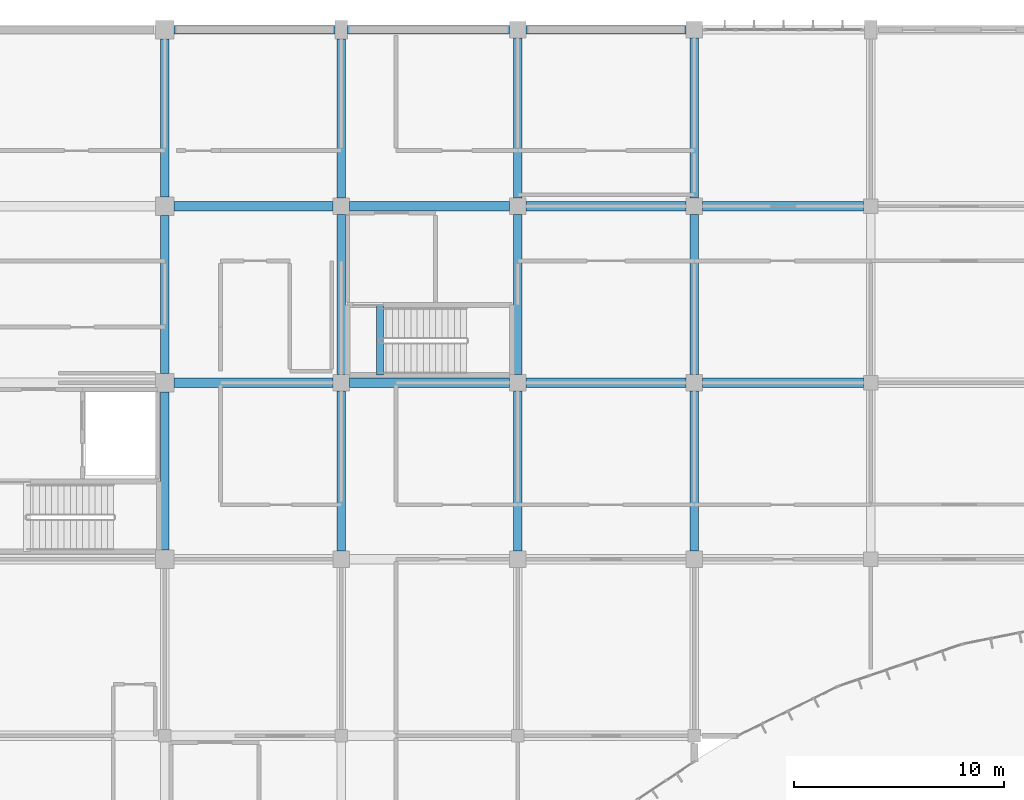
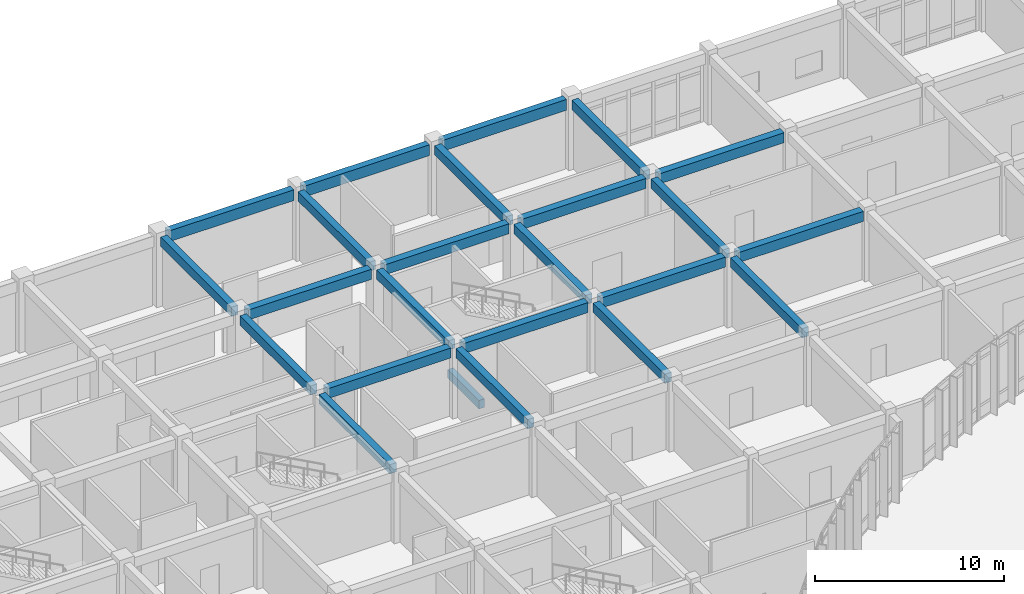
# One storey, part 58 of 138: 24 beams.
"""IFC4 building model written with IfcOpenShell, lengths in metres."""

from ifc_helpers import new_model, si_unit, direction, frame, origin, origin_2d, place, context, subcontext, project, spatial, rectangle, extrude, material, material_profile, profile_set, type_object, element, save


model = new_model("IFC4")

# Units and contexts
model_context = context("Model", 3, precision=1e-05, world=origin(), true_north=direction((0.0, 1.0)))
body_context = subcontext(model_context, "Body", "Model", "MODEL_VIEW")
ifc_project = project(units=[si_unit("LENGTHUNIT", "METRE"), si_unit("AREAUNIT", "SQUARE_METRE"), si_unit("VOLUMEUNIT", "CUBIC_METRE"), si_unit("PLANEANGLEUNIT", "RADIAN"), si_unit("MASSUNIT", "GRAM", prefix="KILO")], contexts=[model_context])

# Site, building, storey
site_placement = place(None, origin())
site = spatial("IfcSite", under=ifc_project, at=site_placement, CompositionType="ELEMENT")
building_placement = place(site_placement, origin())
building = spatial("IfcBuilding", under=site, at=building_placement, Name="Bramfleet General Hospital", CompositionType="ELEMENT")
storey_placement = place(building_placement, origin())
storey = spatial("IfcBuildingStorey", under=building, at=storey_placement, Name="L00", CompositionType="ELEMENT", Elevation=0.0)

# Beams
ifc_material = material(Name="Concrete C35/45", Category="concrete")
ifc_material_profile_1 = material_profile(ifc_material, rectangle(XDim=0.35009765625, YDim=0.550048828125, at=origin_2d()), Name="RC BM 550x350")
ifc_profile_set_1 = profile_set([ifc_material_profile_1], Name="Concrete C35/45")
beam_type_1 = type_object("IfcBeamType", Name="BM-RC550", PredefinedType="BEAM", material=ifc_profile_set_1)
beam_1_placement = place(storey_placement, frame((136.239990234375, 101.179931640625, -0.27490234375), z_axis=(0.0, 1.0, 0.0), x_axis=(-1.0, 0.0, 0.0)))
element("IfcBeam", 1, at=beam_1_placement, inside=storey, type_object=beam_type_1, Name="L00 C9 Stairwell Trimmer Beam", PredefinedType="BEAM", context=body_context, shape_type="SweptSolid", body=[
    extrude(rectangle(XDim=0.35009765625, YDim=0.550048828125, at=origin_2d()), origin(), (0.0, 0.0, 1.0), 3.320068359375),
])
ifc_material_profile_2 = material_profile(ifc_material, rectangle(XDim=0.39990234375, YDim=0.60009765625, at=origin_2d()), Name="RC BM 600x400")
ifc_profile_set_2 = profile_set([ifc_material_profile_2], Name="Concrete C35/45")
beam_type_2 = type_object("IfcBeamType", Name="BM-RC600", PredefinedType="BEAM", material=ifc_profile_set_2)
for number, where, z_axis, x_axis, name in (
    (2, (126.0, 92.85009765625, 4.199951171875), (0.0, 1.0, 0.0), (-1.0, 0.0, 0.0), "L00 Grid Beam Y 15-11"),
    (3, (126.0, 101.25, 4.199951171875), (0.0, 1.0, 0.0), (-1.0, 0.0, 0.0), "L00 Grid Beam Y 15-12"),
    (4, (126.0, 109.64990234375, 4.199951171875), (0.0, 1.0, 0.0), (-1.0, 0.0, 0.0), "L00 Grid Beam Y 15-13"),
):
    element("IfcBeam", number, at=place(storey_placement, frame(where, z_axis=z_axis, x_axis=x_axis)), inside=storey, type_object=beam_type_2, Name=name, PredefinedType="BEAM", context=body_context, shape_type="SweptSolid", body=[
        extrude(rectangle(XDim=0.39990234375, YDim=0.60009765625, at=origin_2d()), origin(), (0.0, 0.0, 1.0), 7.5),
    ])
beam_2_placement = place(storey_placement, frame((134.39990234375, 92.800048828125, 4.199951171875), z_axis=(0.0, 1.0, 0.0), x_axis=(-1.0, 0.0, 0.0)))
element("IfcBeam", 5, at=beam_2_placement, inside=storey, type_object=beam_type_2, Name="L00 Grid Beam Y 16-11", PredefinedType="BEAM", context=body_context, shape_type="SweptSolid", body=[
    extrude(rectangle(XDim=0.39990234375, YDim=0.60009765625, at=origin_2d()), origin(), (0.0, 0.0, 1.0), 7.599853515625),
])
beam_3_placement = place(storey_placement, frame((134.39990234375, 101.199951171875, 4.199951171875), z_axis=(0.0, 1.0, 0.0), x_axis=(-1.0, 0.0, 0.0)))
element("IfcBeam", 6, at=beam_3_placement, inside=storey, type_object=beam_type_2, Name="L00 Grid Beam Y 16-12", PredefinedType="BEAM", context=body_context, shape_type="SweptSolid", body=[
    extrude(rectangle(XDim=0.39990234375, YDim=0.60009765625, at=origin_2d()), origin(), (0.0, 0.0, 1.0), 7.60009765625),
])
beam_4_placement = place(storey_placement, frame((134.39990234375, 109.60009765625, 4.199951171875), z_axis=(0.0, 1.0, 0.0), x_axis=(-1.0, 0.0, 0.0)))
element("IfcBeam", 7, at=beam_4_placement, inside=storey, type_object=beam_type_2, Name="L00 Grid Beam Y 16-13", PredefinedType="BEAM", context=body_context, shape_type="SweptSolid", body=[
    extrude(rectangle(XDim=0.39990234375, YDim=0.60009765625, at=origin_2d()), origin(), (0.0, 0.0, 1.0), 7.5498046875),
])
beam_5_placement = place(storey_placement, frame((142.800048828125, 92.800048828125, 4.199951171875), z_axis=(0.0, 1.0, 0.0), x_axis=(-1.0, 0.0, 0.0)))
element("IfcBeam", 8, at=beam_5_placement, inside=storey, type_object=beam_type_2, Name="L00 Grid Beam Y 17-11", PredefinedType="BEAM", context=body_context, shape_type="SweptSolid", body=[
    extrude(rectangle(XDim=0.39990234375, YDim=0.60009765625, at=origin_2d()), origin(), (0.0, 0.0, 1.0), 7.599853515625),
])
beam_6_placement = place(storey_placement, frame((142.800048828125, 101.199951171875, 4.199951171875), z_axis=(0.0, 1.0, 0.0), x_axis=(-1.0, 0.0, 0.0)))
element("IfcBeam", 9, at=beam_6_placement, inside=storey, type_object=beam_type_2, Name="L00 Grid Beam Y 17-12", PredefinedType="BEAM", context=body_context, shape_type="SweptSolid", body=[
    extrude(rectangle(XDim=0.39990234375, YDim=0.60009765625, at=origin_2d()), origin(), (0.0, 0.0, 1.0), 7.60009765625),
])
for number, where, z_axis, x_axis, name in (
    (10, (142.800048828125, 109.60009765625, 4.199951171875), (0.0, 1.0, 0.0), (-1.0, 0.0, 0.0), "L00 Grid Beam Y 17-13"),
    (11, (151.199951171875, 92.800048828125, 4.199951171875), (0.0, 1.0, 0.0), (-1.0, 0.0, 0.0), "L00 Grid Beam Y 18-11"),
):
    element("IfcBeam", number, at=place(storey_placement, frame(where, z_axis=z_axis, x_axis=x_axis)), inside=storey, type_object=beam_type_2, Name=name, PredefinedType="BEAM", context=body_context, shape_type="SweptSolid", body=[
        extrude(rectangle(XDim=0.39990234375, YDim=0.60009765625, at=origin_2d()), origin(), (0.0, 0.0, 1.0), 7.599853515625),
    ])
beam_7_placement = place(storey_placement, frame((151.199951171875, 101.199951171875, 4.199951171875), z_axis=(0.0, 1.0, 0.0), x_axis=(-1.0, 0.0, 0.0)))
element("IfcBeam", 12, at=beam_7_placement, inside=storey, type_object=beam_type_2, Name="L00 Grid Beam Y 18-12", PredefinedType="BEAM", context=body_context, shape_type="SweptSolid", body=[
    extrude(rectangle(XDim=0.39990234375, YDim=0.60009765625, at=origin_2d()), origin(), (0.0, 0.0, 1.0), 7.60009765625),
])
beam_8_placement = place(storey_placement, frame((151.199951171875, 109.60009765625, 4.199951171875), z_axis=(0.0, 1.0, 0.0), x_axis=(-1.0, 0.0, 0.0)))
element("IfcBeam", 13, at=beam_8_placement, inside=storey, type_object=beam_type_2, Name="L00 Grid Beam Y 18-13", PredefinedType="BEAM", context=body_context, shape_type="SweptSolid", body=[
    extrude(rectangle(XDim=0.39990234375, YDim=0.60009765625, at=origin_2d()), origin(), (0.0, 0.0, 1.0), 7.599853515625),
])
ifc_material_profile_3 = material_profile(ifc_material, rectangle(XDim=0.449951171875, YDim=0.64990234375, at=origin_2d()), Name="RC BM 650x450")
ifc_profile_set_3 = profile_set([ifc_material_profile_3], Name="Concrete C35/45")
beam_type_3 = type_object("IfcBeamType", Name="BM-RC650", PredefinedType="BEAM", material=ifc_profile_set_3)
for number, where, z_axis, x_axis, name in (
    (14, (126.449951171875, 100.800048828125, 4.175048828125), (1.0, 0.0, 0.0), (0.0, 1.0, 0.0), "L00 Grid Beam X 15-12"),
    (15, (126.449951171875, 109.199951171875, 4.175048828125), (1.0, 0.0, 0.0), (0.0, 1.0, 0.0), "L00 Grid Beam X 15-13"),
):
    element("IfcBeam", number, at=place(storey_placement, frame(where, z_axis=z_axis, x_axis=x_axis)), inside=storey, type_object=beam_type_3, Name=name, PredefinedType="BEAM", context=body_context, shape_type="SweptSolid", body=[
        extrude(rectangle(XDim=0.449951171875, YDim=0.64990234375, at=origin_2d()), origin(), (0.0, 0.0, 1.0), 7.550048828125),
    ])
for number, where, z_axis, x_axis, name in (
    (16, (134.800048828125, 100.800048828125, 4.175048828125), (1.0, 0.0, 0.0), (0.0, 1.0, 0.0), "L00 Grid Beam X 16-12"),
    (17, (134.800048828125, 109.199951171875, 4.175048828125), (1.0, 0.0, 0.0), (0.0, 1.0, 0.0), "L00 Grid Beam X 16-13"),
):
    element("IfcBeam", number, at=place(storey_placement, frame(where, z_axis=z_axis, x_axis=x_axis)), inside=storey, type_object=beam_type_3, Name=name, PredefinedType="BEAM", context=body_context, shape_type="SweptSolid", body=[
        extrude(rectangle(XDim=0.449951171875, YDim=0.64990234375, at=origin_2d()), origin(), (0.0, 0.0, 1.0), 7.599853515625),
    ])
for number, where, z_axis, x_axis, name in (
    (18, (143.199951171875, 100.800048828125, 4.175048828125), (1.0, 0.0, 0.0), (0.0, 1.0, 0.0), "L00 Grid Beam X 17-12"),
    (19, (143.199951171875, 109.199951171875, 4.175048828125), (1.0, 0.0, 0.0), (0.0, 1.0, 0.0), "L00 Grid Beam X 17-13"),
):
    element("IfcBeam", number, at=place(storey_placement, frame(where, z_axis=z_axis, x_axis=x_axis)), inside=storey, type_object=beam_type_3, Name=name, PredefinedType="BEAM", context=body_context, shape_type="SweptSolid", body=[
        extrude(rectangle(XDim=0.449951171875, YDim=0.64990234375, at=origin_2d()), origin(), (0.0, 0.0, 1.0), 7.60009765625),
    ])
for number, where, z_axis, x_axis, name in (
    (20, (151.60009765625, 100.800048828125, 4.175048828125), (1.0, 0.0, 0.0), (0.0, 1.0, 0.0), "L00 Grid Beam X 18-12"),
    (21, (151.60009765625, 109.199951171875, 4.175048828125), (1.0, 0.0, 0.0), (0.0, 1.0, 0.0), "L00 Grid Beam X 18-13"),
):
    element("IfcBeam", number, at=place(storey_placement, frame(where, z_axis=z_axis, x_axis=x_axis)), inside=storey, type_object=beam_type_3, Name=name, PredefinedType="BEAM", context=body_context, shape_type="SweptSolid", body=[
        extrude(rectangle(XDim=0.449951171875, YDim=0.64990234375, at=origin_2d()), origin(), (0.0, 0.0, 1.0), 7.64990234375),
    ])
ifc_material_profile_4 = material_profile(ifc_material, rectangle(XDim=0.39990234375, YDim=0.699951171875, at=origin_2d()), Name="RC SP 700x400")
ifc_profile_set_4 = profile_set([ifc_material_profile_4], Name="Concrete C35/45")
beam_type_4 = type_object("IfcBeamType", Name="BM-SP700", PredefinedType="SPANDREL", material=ifc_profile_set_4)
beam_9_placement = place(storey_placement, frame((126.449951171875, 117.60009765625, 4.14990234375), z_axis=(1.0, 0.0, 0.0), x_axis=(0.0, 1.0, 0.0)))
element("IfcBeam", 22, at=beam_9_placement, inside=storey, type_object=beam_type_4, Name="L00 Grid Beam X 15-14", PredefinedType="SPANDREL", context=body_context, shape_type="SweptSolid", body=[
    extrude(rectangle(XDim=0.39990234375, YDim=0.699951171875, at=origin_2d()), origin(), (0.0, 0.0, 1.0), 7.650146484375),
])
beam_10_placement = place(storey_placement, frame((134.699951171875, 117.60009765625, 4.14990234375), z_axis=(1.0, 0.0, 0.0), x_axis=(0.0, 1.0, 0.0)))
element("IfcBeam", 23, at=beam_10_placement, inside=storey, type_object=beam_type_4, Name="L00 Grid Beam X 16-14", PredefinedType="SPANDREL", context=body_context, shape_type="SweptSolid", body=[
    extrude(rectangle(XDim=0.39990234375, YDim=0.699951171875, at=origin_2d()), origin(), (0.0, 0.0, 1.0), 7.699951171875),
])
beam_11_placement = place(storey_placement, frame((143.199951171875, 117.60009765625, 4.14990234375), z_axis=(1.0, 0.0, 0.0), x_axis=(0.0, 1.0, 0.0)))
element("IfcBeam", 24, at=beam_11_placement, inside=storey, type_object=beam_type_4, Name="L00 Grid Beam X 17-14", PredefinedType="SPANDREL", context=body_context, shape_type="SweptSolid", body=[
    extrude(rectangle(XDim=0.39990234375, YDim=0.699951171875, at=origin_2d()), origin(), (0.0, 0.0, 1.0), 7.60009765625),
])

save(model, "model.ifc")
